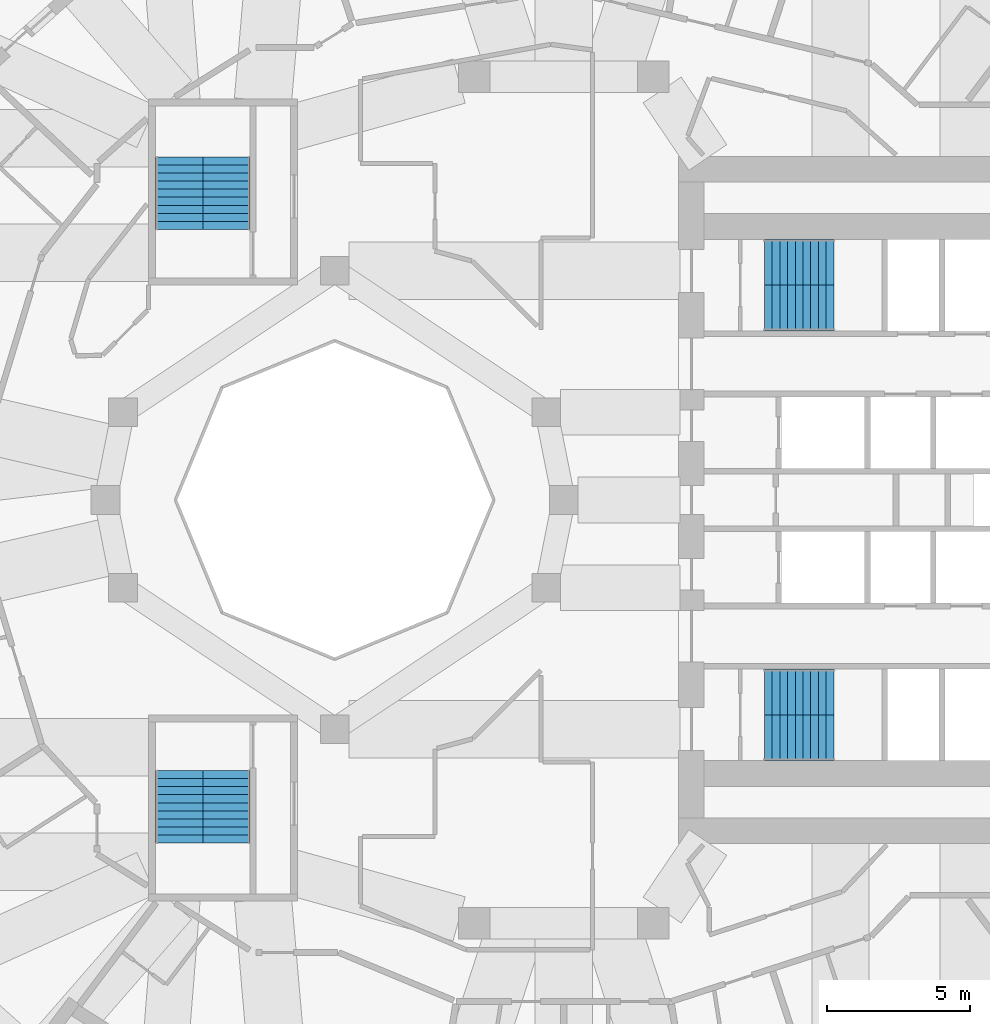
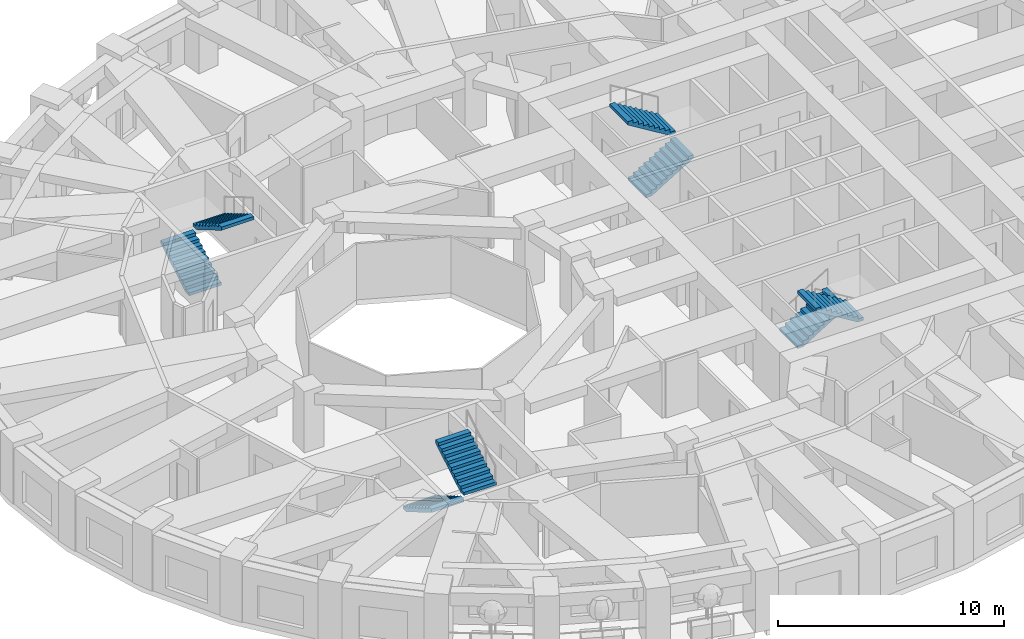
# One storey, part 10 of 13: 8 stair flights, 4 elements without a shape of their own.
"""IFC4 building model written with IfcOpenShell, lengths in metres."""

import ifcopenshell
import ifcopenshell.guid

model = None  # the IFC model being written
_history = None  # IfcOwnerHistory: only IFC2X3 demands one
_inside = {}  # id of a spatial element -> (the spatial element, [elements in it])
_under = {}  # id of a project, library or spatial element -> (it, [spatial elements below it])
_declared = {}  # id of a project -> (the project, [libraries it declares])
_typed = {}  # id of a type object -> (the type object, [elements of that type])
_made_of = {}  # id of a material, layer set ... -> (it, [elements and type objects made of it])


def new_model(schema):
    """Start an empty IFC model of exactly this schema.

    Asked for "IFC4X3", IfcOpenShell would pick the latest addendum, in which some entities
    have other attributes; the version numbers below select the first issue.
    IFC2X3 requires an IfcOwnerHistory on every rooted entity: one is made here for all.
    """
    global model, _history
    if schema == "IFC4X3":
        model = ifcopenshell.file(schema_version=(4, 3, 0, 0))
    else:
        model = ifcopenshell.file(schema=schema)
    _inside.clear()
    _under.clear()
    _declared.clear()
    _typed.clear()
    _made_of.clear()
    _history = None
    if model.schema == "IFC2X3":
        org = make("IfcOrganization", Name="unknown")
        user = make(
            "IfcPersonAndOrganization",
            ThePerson=make("IfcPerson", FamilyName="unknown"),
            TheOrganization=org,
        )
        app = make(
            "IfcApplication",
            ApplicationDeveloper=org,
            Version="unknown",
            ApplicationFullName="unknown",
            ApplicationIdentifier="unknown",
        )
        _history = make(
            "IfcOwnerHistory",
            OwningUser=user,
            OwningApplication=app,
            ChangeAction="ADDED",
            CreationDate=0,
        )
    return model


def make(cls, **values):
    """One entity of the class cls with the attributes given. An attribute that is None is left unset."""
    return model.create_entity(
        cls, **{name: value for name, value in values.items() if value is not None}
    )


def rooted(cls, **values):
    """An entity with a GlobalId (a new one), such as an element, a storey or a relation."""
    return make(cls, GlobalId=ifcopenshell.guid.new(), OwnerHistory=_history, **values)


def si_unit(unit_type, name, prefix=None):
    """IfcSIUnit, for example si_unit("LENGTHUNIT", "METRE", prefix="MILLI")."""
    return make("IfcSIUnit", UnitType=unit_type, Prefix=prefix, Name=name)


def assignment(units):
    """IfcUnitAssignment: the units of a project."""
    return None if units is None else make("IfcUnitAssignment", Units=units)


def point(xyz):
    """IfcCartesianPoint."""
    return None if xyz is None else make("IfcCartesianPoint", Coordinates=xyz)


def direction(xyz):
    """IfcDirection."""
    return None if xyz is None else make("IfcDirection", DirectionRatios=xyz)


def frame(location, z_axis=None, x_axis=None):
    """IfcAxis2Placement3D, a coordinate frame: its origin and axes. An axis left out is left unset."""
    return make(
        "IfcAxis2Placement3D",
        Location=point(location),
        Axis=direction(z_axis),
        RefDirection=direction(x_axis),
    )


def origin():
    """The frame at (0, 0, 0) with its axes left unset."""
    return frame((0.0, 0.0, 0.0))


def place(relative_to, where):
    """IfcLocalPlacement: puts the frame where relative to a parent placement (None: the world)."""
    return make(
        "IfcLocalPlacement", PlacementRelTo=relative_to, RelativePlacement=where
    )


def context(
    kind, dimensions, precision=None, world=None, true_north=None, identifier=None
):
    """IfcGeometricRepresentationContext, for example the 3D "Model" context."""
    return make(
        "IfcGeometricRepresentationContext",
        ContextIdentifier=identifier,
        ContextType=kind,
        CoordinateSpaceDimension=dimensions,
        Precision=precision,
        WorldCoordinateSystem=world,
        TrueNorth=true_north,
    )


def subcontext(parent, identifier, kind, view, scale=None):
    """IfcGeometricRepresentationSubContext, for example "Body" below "Model"."""
    return make(
        "IfcGeometricRepresentationSubContext",
        ContextIdentifier=identifier,
        ContextType=kind,
        ParentContext=parent,
        TargetScale=scale,
        TargetView=view,
    )


def project(units=None, contexts=None):
    """IfcProject with its units and contexts."""
    return rooted(
        "IfcProject",
        Name="project",
        RepresentationContexts=contexts,
        UnitsInContext=assignment(units),
    )


def spatial(cls, under=None, at=None, **own):
    """A site, building, storey or space (cls), placed at a placement, below another one or the project."""
    s = rooted(cls, ObjectPlacement=at, **own)
    if under is not None:
        _under.setdefault(under.id(), (under, []))[1].append(s)
    return s


def polyline(points):
    """IfcPolyline through the points."""
    return make("IfcPolyline", Points=[point(p) for p in points])


def outline(outer, holes=None, kind="AREA"):
    """IfcArbitraryClosedProfileDef: a profile drawn as a closed curve; with holes, ...WithVoids."""
    if holes is None:
        return make("IfcArbitraryClosedProfileDef", ProfileType=kind, OuterCurve=outer)
    return make(
        "IfcArbitraryProfileDefWithVoids",
        ProfileType=kind,
        OuterCurve=outer,
        InnerCurves=holes,
    )


def extrude(swept, where, along, depth):
    """IfcExtrudedAreaSolid: the profile swept, set in the frame where, extruded along a direction by depth."""
    return make(
        "IfcExtrudedAreaSolid",
        SweptArea=swept,
        Position=where,
        ExtrudedDirection=direction(along),
        Depth=depth,
    )


def shape(context_of_items, identifier, shape_type, items):
    """IfcShapeRepresentation: the items that make up one representation, for example the "Body"."""
    return make(
        "IfcShapeRepresentation",
        ContextOfItems=context_of_items,
        RepresentationIdentifier=identifier,
        RepresentationType=shape_type,
        Items=items,
    )


def material(Name=None, Category=None):
    """IfcMaterial."""
    return make("IfcMaterial", Name=Name, Category=Category)


def made_of(thing, what):
    """Note that an element or type object is made of a material, layer set ...; save() writes the relation."""
    if what is not None:
        _made_of.setdefault(what.id(), (what, []))[1].append(thing)
    return thing


def type_object(cls, material=None, **own):
    """A type object (cls), such as IfcWallType, which elements share."""
    return made_of(rooted(cls, **own), material)


def element(
    cls,
    number,
    at=None,
    inside=None,
    cuts=None,
    type_object=None,
    material=None,
    context=None,
    identifier="Body",
    shape_type=None,
    held_by="IfcProductDefinitionShape",
    body=None,
    shapes=None,
    **own,
):
    """One element of the class cls, such as IfcWall. Its Tag is "e" and its number.

    at: its placement. inside: the storey or other place that contains it. cuts: it is an
    opening in that element (IfcRelVoidsElement). A single representation is given by context,
    identifier, shape_type and body (its items); several are given by shapes. held_by: the class
    of the entity that holds the representations. save() writes the other relations.
    """
    e = rooted(cls, Tag="e%d" % number, ObjectPlacement=at, **own)
    if body is not None:
        shapes = [shape(context, identifier, shape_type, body)]
    if shapes is not None:
        e.Representation = make(held_by, Representations=shapes)
    if inside is not None:
        _inside.setdefault(inside.id(), (inside, []))[1].append(e)
    if cuts is not None:
        rooted(
            "IfcRelVoidsElement", RelatingBuildingElement=cuts, RelatedOpeningElement=e
        )
    if type_object is not None:
        _typed.setdefault(type_object.id(), (type_object, []))[1].append(e)
    return made_of(e, material)


def aggregate(whole, parts):
    """IfcRelAggregates: a whole, such as a stair, and the parts it consists of."""
    return rooted("IfcRelAggregates", RelatingObject=whole, RelatedObjects=parts)


def save(model, path):
    """Write the relations noted so far, then the file.

    IfcRelAggregates (storeys below a building ...), IfcRelContainedInSpatialStructure (elements
    in a storey), IfcRelDefinesByType, IfcRelAssociatesMaterial and IfcRelDeclares: one each for
    every whole, place, type object, material and project.
    """
    for whole, parts in _under.values():
        aggregate(whole, parts)
    for where, things in _inside.values():
        rooted(
            "IfcRelContainedInSpatialStructure",
            RelatedElements=things,
            RelatingStructure=where,
        )
    for kind, things in _typed.values():
        rooted("IfcRelDefinesByType", RelatedObjects=things, RelatingType=kind)
    for what, things in _made_of.values():
        rooted("IfcRelAssociatesMaterial", RelatedObjects=things, RelatingMaterial=what)
    for by, libraries in _declared.values():
        rooted("IfcRelDeclares", RelatingContext=by, RelatedDefinitions=libraries)
    model.write(path)


model = new_model("IFC4")

# Units and contexts
model_context = context("Model", 3, precision=1e-05, world=origin(), true_north=direction((0.0, 1.0)))
body_context = subcontext(model_context, "Body", "Model", "MODEL_VIEW")
ifc_project = project(units=[si_unit("LENGTHUNIT", "METRE"), si_unit("AREAUNIT", "SQUARE_METRE"), si_unit("VOLUMEUNIT", "CUBIC_METRE"), si_unit("PLANEANGLEUNIT", "RADIAN"), si_unit("MASSUNIT", "GRAM", prefix="KILO")], contexts=[model_context])

# Site, building, storey
site_placement = place(None, origin())
site = spatial("IfcSite", under=ifc_project, at=site_placement, CompositionType="ELEMENT")
building_placement = place(site_placement, origin())
building = spatial("IfcBuilding", under=site, at=building_placement, Name="Taillehof Tower", CompositionType="ELEMENT")
storey_placement = place(building_placement, frame((0.0, 0.0, 48.10009765625)))
storey = spatial("IfcBuildingStorey", under=building, at=storey_placement, Name="L12", CompositionType="ELEMENT", Elevation=48.10009765625)

# Stair, stair flights
ifc_material_1 = material(Name="Concrete C40/50", Category="concrete")
stair_type = type_object("IfcStairType", Name="Exit stair half-turn", PredefinedType="HALF_TURN_STAIR", material=ifc_material_1)
stair_1_placement = place(storey_placement, origin())
stair_1 = element("IfcStair", 1, at=stair_1_placement, inside=storey, type_object=stair_type, Name="Exit stair S1", PredefinedType="HALF_TURN_STAIR")
ifc_material_2 = material(Name="Concrete C40/50", Category="concrete")
stair_flight_type_1 = type_object("IfcStairFlightType", Name="Stair flight 1600 riser 165.0 going 270", PredefinedType="STRAIGHT", material=ifc_material_2)
stair_flight_1_placement = place(storey_placement, frame((7.0, 6.699951171875, 0.0), z_axis=(0.0, 0.0, 1.0), x_axis=(1.0, 0.0, 0.0)))
stair_flight_1 = element("IfcStairFlight", 2, at=stair_flight_1_placement, type_object=stair_flight_type_1, Name="S1 flight 1", NumberOfRisers=10, NumberOfTreads=9, PredefinedType="STRAIGHT", RiserHeight=0.165, TreadLength=0.27, context=body_context, shape_type="SweptSolid", body=[
    extrude(outline(polyline([(0.0, 0.0), (0.0, 0.00537109375), (0.0, 0.0107421875), (0.0, 0.015869140625), (0.0, 0.021240234375), (0.0, 0.026611328125), (0.0, 0.031982421875), (0.0, 0.037353515625), (0.0, 0.04248046875), (0.0, 0.0478515625), (0.0, 0.05322265625), (0.0, 0.05859375), (0.0, 0.06396484375), (0.0, 0.069091796875), (0.0, 0.074462890625), (0.0, 0.079833984375), (0.0, 0.085205078125), (0.0, 0.090576171875), (0.0, 0.095703125), (0.0, 0.10107421875), (0.0, 0.1064453125), (0.0, 0.11181640625), (0.0, 0.1171875), (0.0, 0.122314453125), (0.0, 0.127685546875), (0.0, 0.133056640625), (0.0, 0.138427734375), (0.0, 0.143798828125), (0.0, 0.14892578125), (0.0, 0.154296875), (0.0, 0.15966796875), (0.0, 0.1650390625), (0.27001953125, 0.1650390625), (0.27001953125, 0.330078125), (0.5400390625, 0.330078125), (0.5400390625, 0.4951171875), (0.81005859375, 0.4951171875), (0.81005859375, 0.659912109375), (1.080078125, 0.659912109375), (1.080078125, 0.824951171875), (1.35009765625, 0.824951171875), (1.35009765625, 0.989990234375), (1.6201171875, 0.989990234375), (1.6201171875, 1.155029296875), (1.889892578125, 1.155029296875), (1.889892578125, 1.320068359375), (2.159912109375, 1.320068359375), (2.159912109375, 1.485107421875), (2.429931640625, 1.485107421875), (2.429931640625, 1.479248046875), (2.429931640625, 1.4736328125), (2.429931640625, 1.468017578125), (2.429931640625, 1.46240234375), (2.429931640625, 1.45654296875), (2.429931640625, 1.450927734375), (2.429931640625, 1.4453125), (2.429931640625, 1.439697265625), (2.429931640625, 1.43408203125), (2.429931640625, 1.42822265625), (2.429931640625, 1.422607421875), (2.429931640625, 1.4169921875), (2.429931640625, 1.411376953125), (2.429931640625, 1.40576171875), (2.429931640625, 1.39990234375), (2.429931640625, 1.394287109375), (2.429931640625, 1.388671875), (2.429931640625, 1.383056640625), (2.429931640625, 1.37744140625), (2.429931640625, 1.37158203125), (2.429931640625, 1.365966796875), (2.429931640625, 1.3603515625), (2.429931640625, 1.354736328125), (2.429931640625, 1.348876953125), (2.429931640625, 1.34326171875), (2.429931640625, 1.337646484375), (2.429931640625, 1.33203125), (2.429931640625, 1.326416015625), (2.429931640625, 1.320556640625), (2.429931640625, 1.31494140625), (2.429931640625, 1.309326171875), (0.287353515625, 0.0), (0.0, 0.0)])), frame((0.0, 0.800048828125, 0.0), z_axis=(0.0, -1.0, 0.0), x_axis=(1.0, 0.0, 0.0)), (0.0, 0.0, 1.0), 1.6),
])
stair_flight_2_placement = place(storey_placement, frame((9.429931640625, 8.300048828125, 1.64990234375), z_axis=(0.0, 0.0, 1.0), x_axis=(-1.0, 0.0, 0.0)))
stair_flight_2 = element("IfcStairFlight", 3, at=stair_flight_2_placement, type_object=stair_flight_type_1, Name="S1 flight 2", NumberOfRisers=10, NumberOfTreads=9, PredefinedType="STRAIGHT", RiserHeight=0.165, TreadLength=0.27, context=body_context, shape_type="SweptSolid", body=[
    extrude(outline(polyline([(0.0, 0.0), (0.0, 0.00537109375), (0.0, 0.0107421875), (0.0, 0.015869140625), (0.0, 0.021240234375), (0.0, 0.026611328125), (0.0, 0.031982421875), (0.0, 0.037353515625), (0.0, 0.04248046875), (0.0, 0.0478515625), (0.0, 0.05322265625), (0.0, 0.05859375), (0.0, 0.06396484375), (0.0, 0.069091796875), (0.0, 0.074462890625), (0.0, 0.079833984375), (0.0, 0.085205078125), (0.0, 0.090576171875), (0.0, 0.095703125), (0.0, 0.10107421875), (0.0, 0.1064453125), (0.0, 0.11181640625), (0.0, 0.1171875), (0.0, 0.122314453125), (0.0, 0.127685546875), (0.0, 0.133056640625), (0.0, 0.138427734375), (0.0, 0.143798828125), (0.0, 0.14892578125), (0.0, 0.154296875), (0.0, 0.15966796875), (0.0, 0.1650390625), (0.27001953125, 0.1650390625), (0.27001953125, 0.330078125), (0.5400390625, 0.330078125), (0.5400390625, 0.4951171875), (0.81005859375, 0.4951171875), (0.81005859375, 0.659912109375), (1.080078125, 0.659912109375), (1.080078125, 0.824951171875), (1.35009765625, 0.824951171875), (1.35009765625, 0.989990234375), (1.6201171875, 0.989990234375), (1.6201171875, 1.155029296875), (1.889892578125, 1.155029296875), (1.889892578125, 1.320068359375), (2.159912109375, 1.320068359375), (2.159912109375, 1.485107421875), (2.429931640625, 1.485107421875), (2.429931640625, 1.479248046875), (2.429931640625, 1.4736328125), (2.429931640625, 1.468017578125), (2.429931640625, 1.46240234375), (2.429931640625, 1.45654296875), (2.429931640625, 1.450927734375), (2.429931640625, 1.4453125), (2.429931640625, 1.439697265625), (2.429931640625, 1.43408203125), (2.429931640625, 1.42822265625), (2.429931640625, 1.422607421875), (2.429931640625, 1.4169921875), (2.429931640625, 1.411376953125), (2.429931640625, 1.40576171875), (2.429931640625, 1.39990234375), (2.429931640625, 1.394287109375), (2.429931640625, 1.388671875), (2.429931640625, 1.383056640625), (2.429931640625, 1.37744140625), (2.429931640625, 1.37158203125), (2.429931640625, 1.365966796875), (2.429931640625, 1.3603515625), (2.429931640625, 1.354736328125), (2.429931640625, 1.348876953125), (2.429931640625, 1.34326171875), (2.429931640625, 1.337646484375), (2.429931640625, 1.33203125), (2.429931640625, 1.326416015625), (2.429931640625, 1.320556640625), (2.429931640625, 1.31494140625), (2.429931640625, 1.309326171875), (0.287353515625, 0.0), (0.0, 0.0)])), frame((0.0, 0.800048828125, 0.0), z_axis=(0.0, -1.0, 0.0), x_axis=(1.0, 0.0, 0.0)), (0.0, 0.0, 1.0), 1.6),
])
aggregate(stair_1, [stair_flight_1, stair_flight_2])

stair_2_placement = place(storey_placement, origin())
stair_2 = element("IfcStair", 4, at=stair_2_placement, inside=storey, type_object=stair_type, Name="Exit stair S2", PredefinedType="HALF_TURN_STAIR")
stair_flight_3_placement = place(storey_placement, frame((7.0, -6.699951171875, 0.0), z_axis=(0.0, 0.0, 1.0), x_axis=(1.0, 0.0, 0.0)))
stair_flight_3 = element("IfcStairFlight", 5, at=stair_flight_3_placement, type_object=stair_flight_type_1, Name="S2 flight 1", NumberOfRisers=10, NumberOfTreads=9, PredefinedType="STRAIGHT", RiserHeight=0.165, TreadLength=0.27, context=body_context, shape_type="SweptSolid", body=[
    extrude(outline(polyline([(0.0, 0.0), (0.0, 0.00537109375), (0.0, 0.0107421875), (0.0, 0.015869140625), (0.0, 0.021240234375), (0.0, 0.026611328125), (0.0, 0.031982421875), (0.0, 0.037353515625), (0.0, 0.04248046875), (0.0, 0.0478515625), (0.0, 0.05322265625), (0.0, 0.05859375), (0.0, 0.06396484375), (0.0, 0.069091796875), (0.0, 0.074462890625), (0.0, 0.079833984375), (0.0, 0.085205078125), (0.0, 0.090576171875), (0.0, 0.095703125), (0.0, 0.10107421875), (0.0, 0.1064453125), (0.0, 0.11181640625), (0.0, 0.1171875), (0.0, 0.122314453125), (0.0, 0.127685546875), (0.0, 0.133056640625), (0.0, 0.138427734375), (0.0, 0.143798828125), (0.0, 0.14892578125), (0.0, 0.154296875), (0.0, 0.15966796875), (0.0, 0.1650390625), (0.27001953125, 0.1650390625), (0.27001953125, 0.330078125), (0.5400390625, 0.330078125), (0.5400390625, 0.4951171875), (0.81005859375, 0.4951171875), (0.81005859375, 0.659912109375), (1.080078125, 0.659912109375), (1.080078125, 0.824951171875), (1.35009765625, 0.824951171875), (1.35009765625, 0.989990234375), (1.6201171875, 0.989990234375), (1.6201171875, 1.155029296875), (1.889892578125, 1.155029296875), (1.889892578125, 1.320068359375), (2.159912109375, 1.320068359375), (2.159912109375, 1.485107421875), (2.429931640625, 1.485107421875), (2.429931640625, 1.479248046875), (2.429931640625, 1.4736328125), (2.429931640625, 1.468017578125), (2.429931640625, 1.46240234375), (2.429931640625, 1.45654296875), (2.429931640625, 1.450927734375), (2.429931640625, 1.4453125), (2.429931640625, 1.439697265625), (2.429931640625, 1.43408203125), (2.429931640625, 1.42822265625), (2.429931640625, 1.422607421875), (2.429931640625, 1.4169921875), (2.429931640625, 1.411376953125), (2.429931640625, 1.40576171875), (2.429931640625, 1.39990234375), (2.429931640625, 1.394287109375), (2.429931640625, 1.388671875), (2.429931640625, 1.383056640625), (2.429931640625, 1.37744140625), (2.429931640625, 1.37158203125), (2.429931640625, 1.365966796875), (2.429931640625, 1.3603515625), (2.429931640625, 1.354736328125), (2.429931640625, 1.348876953125), (2.429931640625, 1.34326171875), (2.429931640625, 1.337646484375), (2.429931640625, 1.33203125), (2.429931640625, 1.326416015625), (2.429931640625, 1.320556640625), (2.429931640625, 1.31494140625), (2.429931640625, 1.309326171875), (0.287353515625, 0.0), (0.0, 0.0)])), frame((0.0, 0.800048828125, 0.0), z_axis=(0.0, -1.0, 0.0), x_axis=(1.0, 0.0, 0.0)), (0.0, 0.0, 1.0), 1.6),
])
stair_flight_4_placement = place(storey_placement, frame((9.429931640625, -8.300048828125, 1.64990234375), z_axis=(0.0, 0.0, 1.0), x_axis=(-1.0, 0.0, 0.0)))
stair_flight_4 = element("IfcStairFlight", 6, at=stair_flight_4_placement, type_object=stair_flight_type_1, Name="S2 flight 2", NumberOfRisers=10, NumberOfTreads=9, PredefinedType="STRAIGHT", RiserHeight=0.165, TreadLength=0.27, context=body_context, shape_type="SweptSolid", body=[
    extrude(outline(polyline([(0.0, 0.0), (0.0, 0.00537109375), (0.0, 0.0107421875), (0.0, 0.015869140625), (0.0, 0.021240234375), (0.0, 0.026611328125), (0.0, 0.031982421875), (0.0, 0.037353515625), (0.0, 0.04248046875), (0.0, 0.0478515625), (0.0, 0.05322265625), (0.0, 0.05859375), (0.0, 0.06396484375), (0.0, 0.069091796875), (0.0, 0.074462890625), (0.0, 0.079833984375), (0.0, 0.085205078125), (0.0, 0.090576171875), (0.0, 0.095703125), (0.0, 0.10107421875), (0.0, 0.1064453125), (0.0, 0.11181640625), (0.0, 0.1171875), (0.0, 0.122314453125), (0.0, 0.127685546875), (0.0, 0.133056640625), (0.0, 0.138427734375), (0.0, 0.143798828125), (0.0, 0.14892578125), (0.0, 0.154296875), (0.0, 0.15966796875), (0.0, 0.1650390625), (0.27001953125, 0.1650390625), (0.27001953125, 0.330078125), (0.5400390625, 0.330078125), (0.5400390625, 0.4951171875), (0.81005859375, 0.4951171875), (0.81005859375, 0.659912109375), (1.080078125, 0.659912109375), (1.080078125, 0.824951171875), (1.35009765625, 0.824951171875), (1.35009765625, 0.989990234375), (1.6201171875, 0.989990234375), (1.6201171875, 1.155029296875), (1.889892578125, 1.155029296875), (1.889892578125, 1.320068359375), (2.159912109375, 1.320068359375), (2.159912109375, 1.485107421875), (2.429931640625, 1.485107421875), (2.429931640625, 1.479248046875), (2.429931640625, 1.4736328125), (2.429931640625, 1.468017578125), (2.429931640625, 1.46240234375), (2.429931640625, 1.45654296875), (2.429931640625, 1.450927734375), (2.429931640625, 1.4453125), (2.429931640625, 1.439697265625), (2.429931640625, 1.43408203125), (2.429931640625, 1.42822265625), (2.429931640625, 1.422607421875), (2.429931640625, 1.4169921875), (2.429931640625, 1.411376953125), (2.429931640625, 1.40576171875), (2.429931640625, 1.39990234375), (2.429931640625, 1.394287109375), (2.429931640625, 1.388671875), (2.429931640625, 1.383056640625), (2.429931640625, 1.37744140625), (2.429931640625, 1.37158203125), (2.429931640625, 1.365966796875), (2.429931640625, 1.3603515625), (2.429931640625, 1.354736328125), (2.429931640625, 1.348876953125), (2.429931640625, 1.34326171875), (2.429931640625, 1.337646484375), (2.429931640625, 1.33203125), (2.429931640625, 1.326416015625), (2.429931640625, 1.320556640625), (2.429931640625, 1.31494140625), (2.429931640625, 1.309326171875), (0.287353515625, 0.0), (0.0, 0.0)])), frame((0.0, 0.800048828125, 0.0), z_axis=(0.0, -1.0, 0.0), x_axis=(1.0, 0.0, 0.0)), (0.0, 0.0, 1.0), 1.6),
])
aggregate(stair_2, [stair_flight_3, stair_flight_4])

stair_3_placement = place(storey_placement, origin())
stair_3 = element("IfcStair", 7, at=stair_3_placement, inside=storey, type_object=stair_type, Name="Exit stair S3", PredefinedType="HALF_TURN_STAIR")
ifc_material_3 = material(Name="Concrete C40/50", Category="concrete")
stair_flight_type_2 = type_object("IfcStairFlightType", Name="Stair flight 1650 riser 165.0 going 280", PredefinedType="STRAIGHT", material=ifc_material_3)
stair_flight_5_placement = place(storey_placement, frame((-13.425048828125, 9.449951171875, 0.0), z_axis=(0.0, 0.0, 1.0), x_axis=(0.0, 1.0, 0.0)))
stair_flight_5 = element("IfcStairFlight", 8, at=stair_flight_5_placement, type_object=stair_flight_type_2, Name="S3 flight 1", NumberOfRisers=10, NumberOfTreads=9, PredefinedType="STRAIGHT", RiserHeight=0.165, TreadLength=0.28, context=body_context, shape_type="SweptSolid", body=[
    extrude(outline(polyline([(0.0, 0.0), (0.0, 0.00537109375), (0.0, 0.0107421875), (0.0, 0.015869140625), (0.0, 0.021240234375), (0.0, 0.026611328125), (0.0, 0.031982421875), (0.0, 0.037353515625), (0.0, 0.04248046875), (0.0, 0.0478515625), (0.0, 0.05322265625), (0.0, 0.05859375), (0.0, 0.06396484375), (0.0, 0.069091796875), (0.0, 0.074462890625), (0.0, 0.079833984375), (0.0, 0.085205078125), (0.0, 0.090576171875), (0.0, 0.095703125), (0.0, 0.10107421875), (0.0, 0.1064453125), (0.0, 0.11181640625), (0.0, 0.1171875), (0.0, 0.122314453125), (0.0, 0.127685546875), (0.0, 0.133056640625), (0.0, 0.138427734375), (0.0, 0.143798828125), (0.0, 0.14892578125), (0.0, 0.154296875), (0.0, 0.15966796875), (0.0, 0.1650390625), (0.280029296875, 0.1650390625), (0.280029296875, 0.330078125), (0.56005859375, 0.330078125), (0.56005859375, 0.4951171875), (0.840087890625, 0.4951171875), (0.840087890625, 0.659912109375), (1.1201171875, 0.659912109375), (1.1201171875, 0.824951171875), (1.39990234375, 0.824951171875), (1.39990234375, 0.989990234375), (1.679931640625, 0.989990234375), (1.679931640625, 1.155029296875), (1.9599609375, 1.155029296875), (1.9599609375, 1.320068359375), (2.239990234375, 1.320068359375), (2.239990234375, 1.485107421875), (2.52001953125, 1.485107421875), (2.52001953125, 1.4794921875), (2.52001953125, 1.473876953125), (2.52001953125, 1.46826171875), (2.52001953125, 1.462646484375), (2.52001953125, 1.45703125), (2.52001953125, 1.451416015625), (2.52001953125, 1.44580078125), (2.52001953125, 1.440185546875), (2.52001953125, 1.4345703125), (2.52001953125, 1.428955078125), (2.52001953125, 1.42333984375), (2.52001953125, 1.417724609375), (2.52001953125, 1.412109375), (2.52001953125, 1.406494140625), (2.52001953125, 1.40087890625), (2.52001953125, 1.395263671875), (2.52001953125, 1.3896484375), (2.52001953125, 1.384033203125), (2.52001953125, 1.37841796875), (2.52001953125, 1.372802734375), (2.52001953125, 1.3671875), (2.52001953125, 1.361572265625), (2.52001953125, 1.35595703125), (2.52001953125, 1.350341796875), (2.52001953125, 1.3447265625), (2.52001953125, 1.339111328125), (2.52001953125, 1.33349609375), (2.52001953125, 1.327880859375), (2.52001953125, 1.322265625), (2.52001953125, 1.316650390625), (2.52001953125, 1.31103515625), (0.295166015625, 0.0), (0.0, 0.0)])), frame((0.0, 0.824951171875, 0.0), z_axis=(0.0, -1.0, 0.0), x_axis=(1.0, 0.0, 0.0)), (0.0, 0.0, 1.0), 1.65),
])
stair_flight_6_placement = place(storey_placement, frame((-11.77490234375, 11.969970703125, 1.64990234375), z_axis=(0.0, 0.0, 1.0), x_axis=(0.0, -1.0, 0.0)))
stair_flight_6 = element("IfcStairFlight", 9, at=stair_flight_6_placement, type_object=stair_flight_type_2, Name="S3 flight 2", NumberOfRisers=10, NumberOfTreads=9, PredefinedType="STRAIGHT", RiserHeight=0.165, TreadLength=0.28, context=body_context, shape_type="SweptSolid", body=[
    extrude(outline(polyline([(0.0, 0.0), (0.0, 0.00537109375), (0.0, 0.0107421875), (0.0, 0.015869140625), (0.0, 0.021240234375), (0.0, 0.026611328125), (0.0, 0.031982421875), (0.0, 0.037353515625), (0.0, 0.04248046875), (0.0, 0.0478515625), (0.0, 0.05322265625), (0.0, 0.05859375), (0.0, 0.06396484375), (0.0, 0.069091796875), (0.0, 0.074462890625), (0.0, 0.079833984375), (0.0, 0.085205078125), (0.0, 0.090576171875), (0.0, 0.095703125), (0.0, 0.10107421875), (0.0, 0.1064453125), (0.0, 0.11181640625), (0.0, 0.1171875), (0.0, 0.122314453125), (0.0, 0.127685546875), (0.0, 0.133056640625), (0.0, 0.138427734375), (0.0, 0.143798828125), (0.0, 0.14892578125), (0.0, 0.154296875), (0.0, 0.15966796875), (0.0, 0.1650390625), (0.280029296875, 0.1650390625), (0.280029296875, 0.330078125), (0.56005859375, 0.330078125), (0.56005859375, 0.4951171875), (0.840087890625, 0.4951171875), (0.840087890625, 0.659912109375), (1.1201171875, 0.659912109375), (1.1201171875, 0.824951171875), (1.39990234375, 0.824951171875), (1.39990234375, 0.989990234375), (1.679931640625, 0.989990234375), (1.679931640625, 1.155029296875), (1.9599609375, 1.155029296875), (1.9599609375, 1.320068359375), (2.239990234375, 1.320068359375), (2.239990234375, 1.485107421875), (2.52001953125, 1.485107421875), (2.52001953125, 1.4794921875), (2.52001953125, 1.473876953125), (2.52001953125, 1.46826171875), (2.52001953125, 1.462646484375), (2.52001953125, 1.45703125), (2.52001953125, 1.451416015625), (2.52001953125, 1.44580078125), (2.52001953125, 1.440185546875), (2.52001953125, 1.4345703125), (2.52001953125, 1.428955078125), (2.52001953125, 1.42333984375), (2.52001953125, 1.417724609375), (2.52001953125, 1.412109375), (2.52001953125, 1.406494140625), (2.52001953125, 1.40087890625), (2.52001953125, 1.395263671875), (2.52001953125, 1.3896484375), (2.52001953125, 1.384033203125), (2.52001953125, 1.37841796875), (2.52001953125, 1.372802734375), (2.52001953125, 1.3671875), (2.52001953125, 1.361572265625), (2.52001953125, 1.35595703125), (2.52001953125, 1.350341796875), (2.52001953125, 1.3447265625), (2.52001953125, 1.339111328125), (2.52001953125, 1.33349609375), (2.52001953125, 1.327880859375), (2.52001953125, 1.322265625), (2.52001953125, 1.316650390625), (2.52001953125, 1.31103515625), (0.295166015625, 0.0), (0.0, 0.0)])), frame((0.0, 0.824951171875, 0.0), z_axis=(0.0, -1.0, 0.0), x_axis=(1.0, 0.0, 0.0)), (0.0, 0.0, 1.0), 1.65),
])
aggregate(stair_3, [stair_flight_5, stair_flight_6])

stair_4_placement = place(storey_placement, origin())
stair_4 = element("IfcStair", 10, at=stair_4_placement, inside=storey, type_object=stair_type, Name="Exit stair S4", PredefinedType="HALF_TURN_STAIR")
stair_flight_7_placement = place(storey_placement, frame((-13.425048828125, -9.449951171875, 0.0), z_axis=(0.0, 0.0, 1.0), x_axis=(0.0, -1.0, 0.0)))
stair_flight_7 = element("IfcStairFlight", 11, at=stair_flight_7_placement, type_object=stair_flight_type_2, Name="S4 flight 1", NumberOfRisers=10, NumberOfTreads=9, PredefinedType="STRAIGHT", RiserHeight=0.165, TreadLength=0.28, context=body_context, shape_type="SweptSolid", body=[
    extrude(outline(polyline([(0.0, 0.0), (0.0, 0.00537109375), (0.0, 0.0107421875), (0.0, 0.015869140625), (0.0, 0.021240234375), (0.0, 0.026611328125), (0.0, 0.031982421875), (0.0, 0.037353515625), (0.0, 0.04248046875), (0.0, 0.0478515625), (0.0, 0.05322265625), (0.0, 0.05859375), (0.0, 0.06396484375), (0.0, 0.069091796875), (0.0, 0.074462890625), (0.0, 0.079833984375), (0.0, 0.085205078125), (0.0, 0.090576171875), (0.0, 0.095703125), (0.0, 0.10107421875), (0.0, 0.1064453125), (0.0, 0.11181640625), (0.0, 0.1171875), (0.0, 0.122314453125), (0.0, 0.127685546875), (0.0, 0.133056640625), (0.0, 0.138427734375), (0.0, 0.143798828125), (0.0, 0.14892578125), (0.0, 0.154296875), (0.0, 0.15966796875), (0.0, 0.1650390625), (0.280029296875, 0.1650390625), (0.280029296875, 0.330078125), (0.56005859375, 0.330078125), (0.56005859375, 0.4951171875), (0.840087890625, 0.4951171875), (0.840087890625, 0.659912109375), (1.1201171875, 0.659912109375), (1.1201171875, 0.824951171875), (1.39990234375, 0.824951171875), (1.39990234375, 0.989990234375), (1.679931640625, 0.989990234375), (1.679931640625, 1.155029296875), (1.9599609375, 1.155029296875), (1.9599609375, 1.320068359375), (2.239990234375, 1.320068359375), (2.239990234375, 1.485107421875), (2.52001953125, 1.485107421875), (2.52001953125, 1.4794921875), (2.52001953125, 1.473876953125), (2.52001953125, 1.46826171875), (2.52001953125, 1.462646484375), (2.52001953125, 1.45703125), (2.52001953125, 1.451416015625), (2.52001953125, 1.44580078125), (2.52001953125, 1.440185546875), (2.52001953125, 1.4345703125), (2.52001953125, 1.428955078125), (2.52001953125, 1.42333984375), (2.52001953125, 1.417724609375), (2.52001953125, 1.412109375), (2.52001953125, 1.406494140625), (2.52001953125, 1.40087890625), (2.52001953125, 1.395263671875), (2.52001953125, 1.3896484375), (2.52001953125, 1.384033203125), (2.52001953125, 1.37841796875), (2.52001953125, 1.372802734375), (2.52001953125, 1.3671875), (2.52001953125, 1.361572265625), (2.52001953125, 1.35595703125), (2.52001953125, 1.350341796875), (2.52001953125, 1.3447265625), (2.52001953125, 1.339111328125), (2.52001953125, 1.33349609375), (2.52001953125, 1.327880859375), (2.52001953125, 1.322265625), (2.52001953125, 1.316650390625), (2.52001953125, 1.31103515625), (0.295166015625, 0.0), (0.0, 0.0)])), frame((0.0, 0.824951171875, 0.0), z_axis=(0.0, -1.0, 0.0), x_axis=(1.0, 0.0, 0.0)), (0.0, 0.0, 1.0), 1.65),
])
stair_flight_8_placement = place(storey_placement, frame((-11.77490234375, -11.969970703125, 1.64990234375), z_axis=(0.0, 0.0, 1.0), x_axis=(0.0, 1.0, 0.0)))
stair_flight_8 = element("IfcStairFlight", 12, at=stair_flight_8_placement, type_object=stair_flight_type_2, Name="S4 flight 2", NumberOfRisers=10, NumberOfTreads=9, PredefinedType="STRAIGHT", RiserHeight=0.165, TreadLength=0.28, context=body_context, shape_type="SweptSolid", body=[
    extrude(outline(polyline([(0.0, 0.0), (0.0, 0.00537109375), (0.0, 0.0107421875), (0.0, 0.015869140625), (0.0, 0.021240234375), (0.0, 0.026611328125), (0.0, 0.031982421875), (0.0, 0.037353515625), (0.0, 0.04248046875), (0.0, 0.0478515625), (0.0, 0.05322265625), (0.0, 0.05859375), (0.0, 0.06396484375), (0.0, 0.069091796875), (0.0, 0.074462890625), (0.0, 0.079833984375), (0.0, 0.085205078125), (0.0, 0.090576171875), (0.0, 0.095703125), (0.0, 0.10107421875), (0.0, 0.1064453125), (0.0, 0.11181640625), (0.0, 0.1171875), (0.0, 0.122314453125), (0.0, 0.127685546875), (0.0, 0.133056640625), (0.0, 0.138427734375), (0.0, 0.143798828125), (0.0, 0.14892578125), (0.0, 0.154296875), (0.0, 0.15966796875), (0.0, 0.1650390625), (0.280029296875, 0.1650390625), (0.280029296875, 0.330078125), (0.56005859375, 0.330078125), (0.56005859375, 0.4951171875), (0.840087890625, 0.4951171875), (0.840087890625, 0.659912109375), (1.1201171875, 0.659912109375), (1.1201171875, 0.824951171875), (1.39990234375, 0.824951171875), (1.39990234375, 0.989990234375), (1.679931640625, 0.989990234375), (1.679931640625, 1.155029296875), (1.9599609375, 1.155029296875), (1.9599609375, 1.320068359375), (2.239990234375, 1.320068359375), (2.239990234375, 1.485107421875), (2.52001953125, 1.485107421875), (2.52001953125, 1.4794921875), (2.52001953125, 1.473876953125), (2.52001953125, 1.46826171875), (2.52001953125, 1.462646484375), (2.52001953125, 1.45703125), (2.52001953125, 1.451416015625), (2.52001953125, 1.44580078125), (2.52001953125, 1.440185546875), (2.52001953125, 1.4345703125), (2.52001953125, 1.428955078125), (2.52001953125, 1.42333984375), (2.52001953125, 1.417724609375), (2.52001953125, 1.412109375), (2.52001953125, 1.406494140625), (2.52001953125, 1.40087890625), (2.52001953125, 1.395263671875), (2.52001953125, 1.3896484375), (2.52001953125, 1.384033203125), (2.52001953125, 1.37841796875), (2.52001953125, 1.372802734375), (2.52001953125, 1.3671875), (2.52001953125, 1.361572265625), (2.52001953125, 1.35595703125), (2.52001953125, 1.350341796875), (2.52001953125, 1.3447265625), (2.52001953125, 1.339111328125), (2.52001953125, 1.33349609375), (2.52001953125, 1.327880859375), (2.52001953125, 1.322265625), (2.52001953125, 1.316650390625), (2.52001953125, 1.31103515625), (0.295166015625, 0.0), (0.0, 0.0)])), frame((0.0, 0.824951171875, 0.0), z_axis=(0.0, -1.0, 0.0), x_axis=(1.0, 0.0, 0.0)), (0.0, 0.0, 1.0), 1.65),
])
aggregate(stair_4, [stair_flight_7, stair_flight_8])

save(model, "model.ifc")
